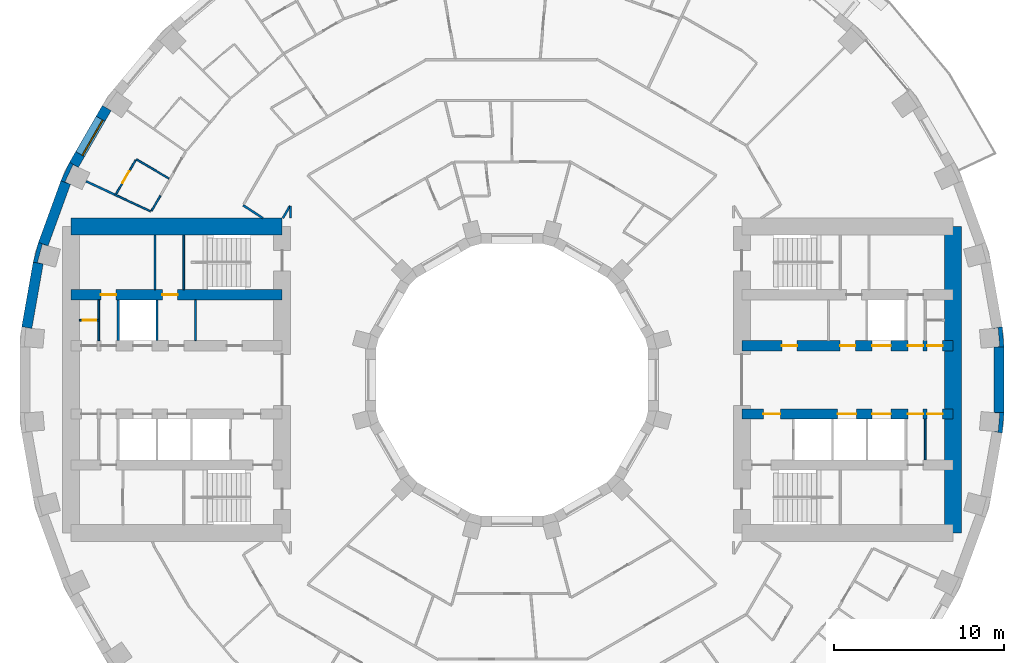
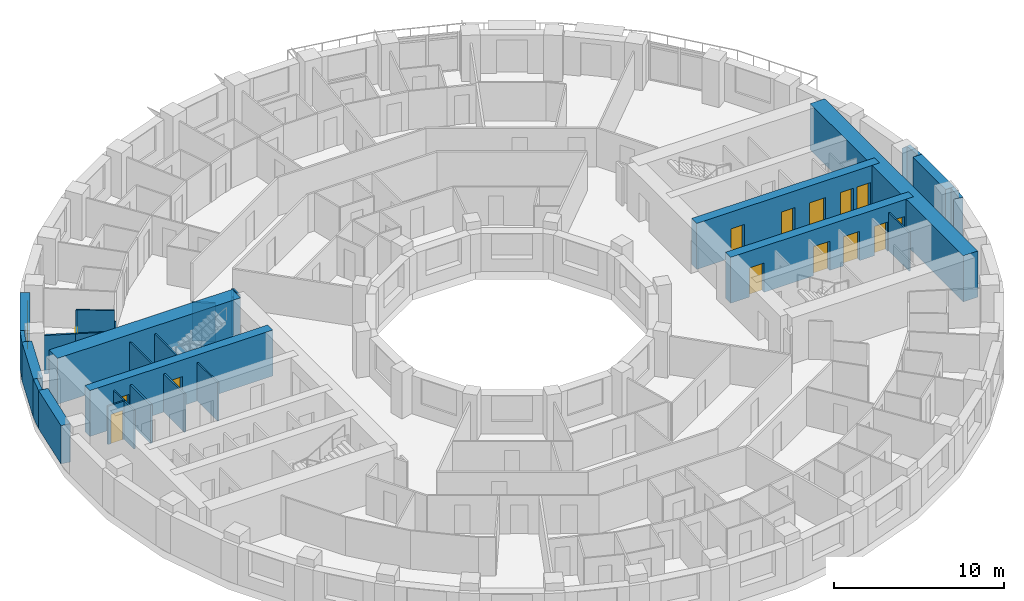
# One storey, part 9 of 15: 29 walls, 14 doors, 1 window, 15 openings.
"""IFC4 building model written with IfcOpenShell, lengths in metres."""

from ifc_helpers import new_model, si_unit, direction, frame, frame_2d, origin, place, context, subcontext, project, spatial, polyline, rectangle, outline, extrude, material, layer, layer_set, type_object, element, fill, save


model = new_model("IFC4")

# Units and contexts
model_context = context("Model", 3, precision=1e-05, world=origin(), true_north=direction((0.0, 1.0)))
body_context = subcontext(model_context, "Body", "Model", "MODEL_VIEW")
ifc_project = project(units=[si_unit("LENGTHUNIT", "METRE"), si_unit("AREAUNIT", "SQUARE_METRE"), si_unit("VOLUMEUNIT", "CUBIC_METRE"), si_unit("PLANEANGLEUNIT", "RADIAN"), si_unit("MASSUNIT", "GRAM", prefix="KILO")], contexts=[model_context])

# Site, building, storey
site_placement = place(None, origin())
site = spatial("IfcSite", under=ifc_project, at=site_placement, CompositionType="ELEMENT")
building_placement = place(site_placement, origin())
building = spatial("IfcBuilding", under=site, at=building_placement, Name="Saqina Gate Tower", CompositionType="ELEMENT")
storey_placement = place(building_placement, frame((0.0, 0.0, 72.5)))
storey = spatial("IfcBuildingStorey", under=building, at=storey_placement, Name="L20", CompositionType="ELEMENT", Elevation=72.5)

# Walls
ifc_material_1 = material(Name="Brick masonry (red)", Category="masonry")
wall_type_1 = type_object("IfcWallType", Name="BRICK PIER COPING RED", PredefinedType="SOLIDWALL", material=ifc_material_1)
wall_1_placement = place(storey_placement, origin())
element("IfcWall", 1, at=wall_1_placement, inside=storey, type_object=wall_type_1, Name="Pier cap L20 column 1", PredefinedType="SOLIDWALL", context=body_context, shape_type="SweptSolid", body=[
    extrude(outline(polyline([(28.8896484375, 1.9228515625), (28.78466796875, 3.122802734375), (28.19384765625, 3.018798828125), (28.54296875, 3.04931640625), (28.638671875, 1.95361328125), (28.28955078125, 1.9228515625), (28.8896484375, 1.9228515625)])), origin(), (0.0, 0.0, 1.0), 2.75),
])
wall_2_placement = place(storey_placement, origin())
element("IfcWall", 2, at=wall_2_placement, inside=storey, type_object=wall_type_1, Name="Pier cap L20 column 16", PredefinedType="SOLIDWALL", context=body_context, shape_type="SweptSolid", body=[
    extrude(outline(polyline([(-26.48974609375, 11.687744140625), (-25.92578125, 11.482666015625), (-26.243408203125, 11.630615234375), (-25.778564453125, 12.627685546875), (-25.4609375, 12.4794921875), (-25.980712890625, 12.779541015625), (-26.48974609375, 11.687744140625)])), origin(), (0.0, 0.0, 1.0), 2.75),
])
wall_3_placement = place(storey_placement, origin())
element("IfcWall", 3, at=wall_3_placement, inside=storey, type_object=wall_type_1, Name="Pier cap L20 column 17", PredefinedType="SOLIDWALL", context=body_context, shape_type="SweptSolid", body=[
    extrude(outline(polyline([(-28.11669921875, 6.910400390625), (-27.52587890625, 6.80615234375), (-27.864501953125, 6.896728515625), (-27.57958984375, 7.95947265625), (-27.2412109375, 7.86865234375), (-27.80517578125, 8.073974609375), (-28.11669921875, 6.910400390625)])), origin(), (0.0, 0.0, 1.0), 2.75),
])
wall_4_placement = place(storey_placement, origin())
element("IfcWall", 4, at=wall_4_placement, inside=storey, type_object=wall_type_1, Name="Pier cap L20 column 36", PredefinedType="SOLIDWALL", context=body_context, shape_type="SweptSolid", body=[
    extrude(outline(polyline([(28.78466796875, -3.122802734375), (28.8896484375, -1.9228515625), (28.28955078125, -1.9228515625), (28.638671875, -1.95361328125), (28.54296875, -3.04931640625), (28.19384765625, -3.018798828125), (28.78466796875, -3.122802734375)])), origin(), (0.0, 0.0, 1.0), 2.75),
])
ifc_material_2 = material(Name="Gypsum board on steel studs", Category="steel")
ifc_layer_1 = layer(ifc_material_2, 0.10009765625)
ifc_layer_set_1 = layer_set([ifc_layer_1], Name="CORE PARTITION")
wall_type_2 = type_object("IfcWallType", Name="CORE PARTITION", PredefinedType="PARTITIONING", material=ifc_layer_set_1)
for number, where, z_axis, x_axis, name in (
    (5, (24.260009765625, -4.699951171875, 0.0), (0.0, 0.0, 1.0), (0.0, 1.0, 0.0), "L20-CP-E09"),
    (6, (-18.582763671875, 2.300048828125, 0.0), (0.0, 0.0, 1.0), (0.0, 1.0, 0.0), "L20-CP-W01"),
    (7, (-24.260009765625, 2.300048828125, 0.0), (0.0, 0.0, 1.0), (0.0, 1.0, 0.0), "L20-CP-W04"),
):
    element("IfcWall", number, at=place(storey_placement, frame(where, z_axis=z_axis, x_axis=x_axis)), inside=storey, type_object=wall_type_2, Name=name, PredefinedType="PARTITIONING", context=body_context, shape_type="SweptSolid", body=[
        extrude(rectangle(XDim=2.39990234375, YDim=0.10009765625, at=frame_2d((1.199951171875, 0.0))), origin(), (0.0, 0.0, 1.0), 2.75),
    ])

# Wall, opening, door
wall_5_placement = place(storey_placement, frame((-24.260009765625, 3.5, 0.0), z_axis=(0.0, 0.0, 1.0), x_axis=(-1.0, 0.0, 0.0)))
wall_5 = element("IfcWall", 8, at=wall_5_placement, inside=storey, type_object=wall_type_2, Name="L20-CP-W10", PredefinedType="PARTITIONING", context=body_context, shape_type="SweptSolid", body=[
    extrude(rectangle(XDim=1.139892578125, YDim=0.10009765625, at=frame_2d((0.56982421875, 0.0))), origin(), (0.0, 0.0, 1.0), 2.75),
])
opening_1_placement = place(wall_5_placement, frame((0.14990234375, 0.0, 0.0)))
opening_1 = element("IfcOpeningElement", 9, at=opening_1_placement, cuts=wall_5, Name="Opening G05-D113", PredefinedType="OPENING", context=body_context, shape_type="SweptSolid", body=[
    extrude(rectangle(XDim=0.800048828125, YDim=2.10009765625, at=frame_2d((0.39990234375, 1.050048828125))), frame((0.0, 0.06201171875, 0.0), z_axis=(0.0, -1.0, 0.0), x_axis=(1.0, 0.0, 0.0)), (0.0, 0.0, 1.0), 0.1240234375),
])
ifc_material_3 = material(Name="Steel-framed fire door leaf, EI 60", Category="steel")
door_type_1 = type_object("IfcDoorType", Name="SERVICE ROOM DOOR 800", OperationType="SINGLE_SWING_LEFT", PredefinedType="DOOR", material=ifc_material_3)
door_1_placement = place(opening_1_placement, frame((0.800048828125, 0.0, 0.0), z_axis=(0.0, 0.0, 1.0), x_axis=(-1.0, 0.0, 0.0)))
door_1 = element("IfcDoor", 10, at=door_1_placement, inside=storey, type_object=door_type_1, Name="L20-CD-W24", OperationType="SINGLE_SWING_LEFT", OverallHeight=2.10009765625, OverallWidth=0.800048828125, PredefinedType="DOOR", context=body_context, shape_type="SweptSolid", body=[
    extrude(rectangle(XDim=0.800048828125, YDim=2.10009765625, at=frame_2d((0.39990234375, 1.050048828125))), frame((0.0, 0.02490234375, 0.0), z_axis=(0.0, -1.0, 0.0), x_axis=(1.0, 0.0, 0.0)), (0.0, 0.0, 1.0), 0.050048828125),
])
fill(opening_1, door_1)

# Wall
wall_6_placement = place(storey_placement, frame((-20.961669921875, 5.300048828125, 0.0), z_axis=(0.0, 0.0, 1.0), x_axis=(0.0, 1.0, 0.0)))
element("IfcWall", 11, at=wall_6_placement, inside=storey, type_object=wall_type_2, Name="L20-CP-W12", PredefinedType="PARTITIONING", context=body_context, shape_type="SweptSolid", body=[
    extrude(rectangle(XDim=3.199951171875, YDim=0.10009765625, at=frame_2d((1.60009765625, 0.0))), origin(), (0.0, 0.0, 1.0), 2.75),
])

# Wall, opening, window
ifc_material_4 = material(Name="Brick masonry (red)", Category="masonry")
ifc_layer_2 = layer(ifc_material_4, 0.60009765625)
ifc_layer_set_2 = layer_set([ifc_layer_2], Name="FW-BRICK-RED")
wall_type_3 = type_object("IfcWallType", Name="FW-BRICK-RED", PredefinedType="SOLIDWALL", material=ifc_layer_set_2)
wall_7_placement = place(storey_placement, frame((-23.7978515625, 15.960205078125, 0.0), z_axis=(0.0, 0.0, 1.0), x_axis=(-0.499989888488, -0.86603124159, 0.0)))
wall_7 = element("IfcWall", 12, at=wall_7_placement, inside=storey, type_object=wall_type_3, Name="Facade wall L20 facet 15", PredefinedType="SOLIDWALL", context=body_context, shape_type="SweptSolid", body=[
    extrude(rectangle(XDim=3.845703125, YDim=0.60009765625, at=frame_2d((1.9228515625, 0.0))), origin(), (0.0, 0.0, 1.0), 2.75),
])
opening_2_placement = place(wall_7_placement, frame((0.722900390625, 0.0, 0.89990234375)))
opening_2 = element("IfcOpeningElement", 13, at=opening_2_placement, cuts=wall_7, Name="Opening G05-W09", PredefinedType="OPENING", context=body_context, shape_type="SweptSolid", body=[
    extrude(rectangle(XDim=2.39990234375, YDim=1.800048828125, at=frame_2d((1.199951171875, 0.89990234375))), frame((0.0, 0.31201171875, 0.0), z_axis=(0.0, -1.0, 0.0), x_axis=(1.0, 0.0, 0.0)), (0.0, 0.0, 1.0), 0.6240234375),
])
ifc_material_5 = material(Name="Aluminium glazing", Category="aluminium")
window_type = type_object("IfcWindowType", Name="WN-A", PartitioningType="SINGLE_PANEL", PredefinedType="WINDOW", material=ifc_material_5)
window_placement = place(opening_2_placement, origin())
window = element("IfcWindow", 14, at=window_placement, inside=storey, type_object=window_type, Name="Window L20 facet 15", OverallHeight=1.800048828125, OverallWidth=2.39990234375, PartitioningType="SINGLE_PANEL", PredefinedType="WINDOW", context=body_context, shape_type="SweptSolid", body=[
    extrude(rectangle(XDim=2.39990234375, YDim=1.800048828125, at=frame_2d((1.199951171875, 0.89990234375))), frame((0.0, 0.179931640625, 0.0), z_axis=(0.0, -1.0, 0.0), x_axis=(1.0, 0.0, 0.0)), (0.0, 0.0, 1.0), 0.06005859375),
])
fill(opening_2, window)

# Walls
ifc_material_6 = material(Name="Glazed ceramic tile", Category="ceramic")
ifc_layer_3 = layer(ifc_material_6, 0.60009765625)
ifc_layer_set_3 = layer_set([ifc_layer_3], Name="FW-TILE")
wall_type_4 = type_object("IfcWallType", Name="FW-TILE", PredefinedType="SOLIDWALL", material=ifc_layer_set_3)
wall_8_placement = place(storey_placement, frame((-27.8212890625, 6.858154296875, 0.0), z_axis=(0.0, 0.0, 1.0), x_axis=(-0.173687553279, -0.984800809218, 0.0)))
element("IfcWall", 15, at=wall_8_placement, inside=storey, type_object=wall_type_4, Name="Facade wall L20 facet 17", PredefinedType="SOLIDWALL", context=body_context, shape_type="SweptSolid", body=[
    extrude(rectangle(XDim=3.845703125, YDim=0.60009765625, at=frame_2d((1.9228515625, 0.0))), origin(), (0.0, 0.0, 1.0), 2.75),
])
ifc_material_7 = material(Name="Glazed ceramic tile (white)", Category="ceramic")
ifc_layer_4 = layer(ifc_material_7, 0.60009765625)
ifc_layer_set_4 = layer_set([ifc_layer_4], Name="FW-TILE-WH")
wall_type_5 = type_object("IfcWallType", Name="FW-TILE-WH", PredefinedType="SOLIDWALL", material=ifc_layer_set_4)
wall_9_placement = place(storey_placement, frame((-26.207763671875, 11.585205078125, 0.0), z_axis=(0.0, 0.0, 1.0), x_axis=(-0.342028474173, -0.939689588564, 0.0)))
element("IfcWall", 16, at=wall_9_placement, inside=storey, type_object=wall_type_5, Name="Facade wall L20 facet 16", PredefinedType="SOLIDWALL", context=body_context, shape_type="SweptSolid", body=[
    extrude(rectangle(XDim=3.845947265625, YDim=0.60009765625, at=frame_2d((1.9228515625, 0.0))), origin(), (0.0, 0.0, 1.0), 2.75),
])
wall_10_placement = place(storey_placement, frame((28.589599609375, -1.9228515625, 0.0), z_axis=(0.0, 0.0, 1.0), x_axis=(0.0, 1.0, 0.0)))
element("IfcWall", 17, at=wall_10_placement, inside=storey, type_object=wall_type_5, Name="Facade wall L20 facet 36", PredefinedType="SOLIDWALL", context=body_context, shape_type="SweptSolid", body=[
    extrude(rectangle(XDim=3.845703125, YDim=0.60009765625, at=frame_2d((1.9228515625, 0.0))), origin(), (0.0, 0.0, 1.0), 2.75),
])
ifc_material_8 = material(Name="Gypsum board on steel studs, 100 mm", Category="steel")
ifc_layer_5 = layer(ifc_material_8, 0.10009765625)
ifc_layer_set_5 = layer_set([ifc_layer_5], Name="PARTITION 100")
wall_type_6 = type_object("IfcWallType", Name="PARTITION 100", PredefinedType="PARTITIONING", material=ifc_layer_set_5)
wall_11_placement = place(storey_placement, frame((-22.069091796875, 12.9541015625, 0.0), z_axis=(0.0, 0.0, 1.0), x_axis=(0.862374352329, -0.506271149134, 0.0)))
element("IfcWall", 18, at=wall_11_placement, inside=storey, type_object=wall_type_6, Name="PARTITION PW3-41", PredefinedType="PARTITIONING", context=body_context, shape_type="SweptSolid", body=[
    extrude(rectangle(XDim=2.237060546875, YDim=0.10009765625, at=frame_2d((1.11865234375, 0.0))), origin(), (0.0, 0.0, 1.0), 2.75),
])
wall_12_placement = place(storey_placement, frame((-23.326171875, 10.877197265625, 0.0), z_axis=(0.0, 0.0, 1.0), x_axis=(0.906293839501, -0.42264817104, 0.0)))
element("IfcWall", 19, at=wall_12_placement, inside=storey, type_object=wall_type_6, Name="PARTITION PW3-48", PredefinedType="PARTITIONING", context=body_context, shape_type="SweptSolid", body=[
    extrude(rectangle(XDim=2.309326171875, YDim=0.10009765625, at=frame_2d((1.15478515625, 0.0))), origin(), (0.0, 0.0, 1.0), 2.75),
])
wall_13_placement = place(storey_placement, frame((-21.1630859375, 9.92333984375, 0.0), z_axis=(0.0, 0.0, 1.0), x_axis=(0.499797427156, 0.866142327685, 0.0)))
element("IfcWall", 20, at=wall_13_placement, inside=storey, type_object=wall_type_6, Name="PARTITION PW3-99", PredefinedType="PARTITIONING", context=body_context, shape_type="SweptSolid", body=[
    extrude(rectangle(XDim=1.03369140625, YDim=0.10009765625, at=frame_2d((0.516845703125, 0.0))), origin(), (0.0, 0.0, 1.0), 2.75),
])

# Wall, opening, door
wall_14_placement = place(storey_placement, frame((-23.2548828125, 10.901123046875, 0.0), z_axis=(0.0, 0.0, 1.0), x_axis=(0.500223263977, 0.865896463889, 0.0)))
wall_14 = element("IfcWall", 21, at=wall_14_placement, inside=storey, type_object=wall_type_6, Name="PARTITION PW3-100", PredefinedType="PARTITIONING", context=body_context, shape_type="SweptSolid", body=[
    extrude(rectangle(XDim=2.32080078125, YDim=0.10009765625, at=frame_2d((1.160400390625, 0.0))), origin(), (0.0, 0.0, 1.0), 2.75),
])
opening_3_placement = place(wall_14_placement, frame((0.75927734375, 0.0, 0.0)))
opening_3 = element("IfcOpeningElement", 22, at=opening_3_placement, cuts=wall_14, Name="Opening G05-D35", PredefinedType="OPENING", context=body_context, shape_type="SweptSolid", body=[
    extrude(rectangle(XDim=0.800048828125, YDim=2.10009765625, at=frame_2d((0.39990234375, 1.050048828125))), frame((0.0, 0.06201171875, 0.0), z_axis=(0.0, -1.0, 0.0), x_axis=(1.0, 0.0, 0.0)), (0.0, 0.0, 1.0), 0.1240234375),
])
ifc_material_9 = material(Name="Timber door leaf, 800 mm", Category="wood")
door_type_2 = type_object("IfcDoorType", Name="DOOR 800 TIMBER", OperationType="SINGLE_SWING_LEFT", PredefinedType="DOOR", material=ifc_material_9)
door_2_placement = place(opening_3_placement, origin())
door_2 = element("IfcDoor", 23, at=door_2_placement, inside=storey, type_object=door_type_2, Name="DOOR G05-D35", OperationType="SINGLE_SWING_LEFT", OverallHeight=2.10009765625, OverallWidth=0.800048828125, PredefinedType="DOOR", context=body_context, shape_type="SweptSolid", body=[
    extrude(rectangle(XDim=0.800048828125, YDim=2.10009765625, at=frame_2d((0.39990234375, 1.050048828125))), frame((0.0, 0.02490234375, 0.0), z_axis=(0.0, -1.0, 0.0), x_axis=(1.0, 0.0, 0.0)), (0.0, 0.0, 1.0), 0.050048828125),
])
fill(opening_3, door_2)

# Walls
ifc_material_10 = material(Name="Gypsum board on steel studs, 125 mm, fire rated", Category="steel")
ifc_layer_6 = layer(ifc_material_10, 0.125)
ifc_layer_set_6 = layer_set([ifc_layer_6], Name="PARTITION EI 30 125")
wall_type_7 = type_object("IfcWallType", Name="PARTITION EI 30 125", PredefinedType="PARTITIONING", material=ifc_layer_set_6)
wall_15_placement = place(storey_placement, frame((-15.7890625, 10.2529296875, 0.0), z_axis=(0.0, 0.0, 1.0), x_axis=(0.838830573332, -0.544392569056, 0.0)))
element("IfcWall", 24, at=wall_15_placement, inside=storey, type_object=wall_type_7, Name="PARTITION PW1-07", PredefinedType="PARTITIONING", context=body_context, shape_type="SweptSolid", body=[
    extrude(rectangle(XDim=1.383056640625, YDim=0.125, at=frame_2d((0.69140625, 0.0))), origin(), (0.0, 0.0, 1.0), 2.75),
])
wall_16_placement = place(storey_placement, frame((-25.005126953125, 11.659912109375, 0.0), z_axis=(0.0, 0.0, 1.0), x_axis=(0.906348054162, -0.422531897869, 0.0)))
element("IfcWall", 25, at=wall_16_placement, inside=storey, type_object=wall_type_7, Name="PARTITION PW1-14", PredefinedType="PARTITIONING", context=body_context, shape_type="SweptSolid", body=[
    extrude(rectangle(XDim=1.8525390625, YDim=0.125, at=frame_2d((0.92626953125, 0.0))), origin(), (0.0, 0.0, 1.0), 2.75),
])
wall_17_placement = place(storey_placement, frame((-13.451904296875, 9.5, 0.0), z_axis=(0.0, 0.0, 1.0), x_axis=(0.49991670217, 0.866073490468, 0.0)))
element("IfcWall", 26, at=wall_17_placement, inside=storey, type_object=wall_type_7, Name="PARTITION PW1-49", PredefinedType="PARTITIONING", context=body_context, shape_type="SweptSolid", body=[
    extrude(rectangle(XDim=0.834228515625, YDim=0.125, at=frame_2d((0.4169921875, 0.0))), origin(), (0.0, 0.0, 1.0), 2.75),
])
wall_18_placement = place(storey_placement, frame((-13.0, 9.5, 0.0), z_axis=(0.0, 0.0, 1.0), x_axis=(0.0, 1.0, 0.0)))
element("IfcWall", 27, at=wall_18_placement, inside=storey, type_object=wall_type_7, Name="PARTITION PW1-56", PredefinedType="PARTITIONING", context=body_context, shape_type="SweptSolid", body=[
    extrude(rectangle(XDim=0.720458984375, YDim=0.125, at=frame_2d((0.3603515625, 0.0))), origin(), (0.0, 0.0, 1.0), 2.75),
])
ifc_material_11 = material(Name="Autoclaved aerated concrete block", Category="concrete")
ifc_layer_7 = layer(ifc_material_11, 0.1201171875)
ifc_layer_set_7 = layer_set([ifc_layer_7], Name="SHAFT PARTITION")
wall_type_8 = type_object("IfcWallType", Name="SHAFT PARTITION", PredefinedType="PARTITIONING", material=ifc_layer_set_7)
for number, where, z_axis, x_axis, name in (
    (28, (-20.840087890625, 2.300048828125, 0.0), (0.0, 0.0, 1.0), (0.0, 1.0, 0.0), "L20-CP-W02"),
    (29, (-23.1201171875, 2.300048828125, 0.0), (0.0, 0.0, 1.0), (0.0, 1.0, 0.0), "L20-CP-W03"),
):
    element("IfcWall", number, at=place(storey_placement, frame(where, z_axis=z_axis, x_axis=x_axis)), inside=storey, type_object=wall_type_8, Name=name, PredefinedType="PARTITIONING", context=body_context, shape_type="SweptSolid", body=[
        extrude(rectangle(XDim=2.39990234375, YDim=0.1201171875, at=frame_2d((1.199951171875, 0.0))), origin(), (0.0, 0.0, 1.0), 2.75),
    ])
ifc_material_12 = material(Name="Autoclaved aerated concrete block", Category="concrete")
ifc_layer_8 = layer(ifc_material_12, 0.10009765625)
ifc_layer_set_8 = layer_set([ifc_layer_8], Name="STAIR ENCLOSURE WALL")
wall_type_9 = type_object("IfcWallType", Name="STAIR ENCLOSURE WALL", PredefinedType="PARTITIONING", material=ifc_layer_set_8)
wall_19_placement = place(storey_placement, frame((-19.27001953125, 5.300048828125, 0.0), z_axis=(0.0, 0.0, 1.0), x_axis=(0.0, 1.0, 0.0)))
element("IfcWall", 30, at=wall_19_placement, inside=storey, type_object=wall_type_9, Name="L20-CP-W11", PredefinedType="PARTITIONING", context=body_context, shape_type="SweptSolid", body=[
    extrude(rectangle(XDim=3.199951171875, YDim=0.10009765625, at=frame_2d((1.60009765625, 0.0))), origin(), (0.0, 0.0, 1.0), 2.75),
])

# Wall, openings, doors
ifc_material_13 = material(Name="Concrete C70/85", Category="concrete")
ifc_layer_9 = layer(ifc_material_13, 0.60009765625)
ifc_layer_set_9 = layer_set([ifc_layer_9], Name="Concrete C70/85")
wall_type_10 = type_object("IfcWallType", Name="STR-CORE WALL-A-I", PredefinedType="SHEAR", material=ifc_layer_set_9)
wall_20_placement = place(storey_placement, frame((13.5, 2.0, 0.0), z_axis=(0.0, 0.0, 1.0), x_axis=(1.0, 0.0, 0.0)))
wall_20 = element("IfcWall", 31, at=wall_20_placement, inside=storey, type_object=wall_type_10, Name="CORE WALL L20 E-L1", PredefinedType="SHEAR", context=body_context, shape_type="SweptSolid", body=[
    extrude(rectangle(XDim=12.39990234375, YDim=0.60009765625, at=frame_2d((6.199951171875, 0.0))), origin(), (0.0, 0.0, 1.0), 3.300048828125),
])
opening_4_placement = place(wall_20_placement, frame((7.64990234375, 0.0, 0.0)))
opening_4 = element("IfcOpeningElement", 32, at=opening_4_placement, cuts=wall_20, Name="Opening G05-LD1", PredefinedType="OPENING", context=body_context, shape_type="SweptSolid", body=[
    extrude(rectangle(XDim=1.10009765625, YDim=2.10009765625, at=frame_2d((0.550048828125, 1.050048828125))), frame((0.0, 0.31201171875, 0.0), z_axis=(0.0, -1.0, 0.0), x_axis=(1.0, 0.0, 0.0)), (0.0, 0.0, 1.0), 0.6240234375),
])
opening_5_placement = place(wall_20_placement, frame((2.34130859375, 0.0, 0.0)))
opening_5 = element("IfcOpeningElement", 33, at=opening_5_placement, cuts=wall_20, Name="Opening G05-D90", PredefinedType="OPENING", context=body_context, shape_type="SweptSolid", body=[
    extrude(rectangle(XDim=0.89990234375, YDim=2.10009765625, at=frame_2d((0.449951171875, 1.050048828125))), frame((0.0, 0.31201171875, 0.0), z_axis=(0.0, -1.0, 0.0), x_axis=(1.0, 0.0, 0.0)), (0.0, 0.0, 1.0), 0.6240234375),
])
opening_6_placement = place(wall_20_placement, frame((5.761474609375, 0.0, 0.0)))
opening_6 = element("IfcOpeningElement", 34, at=opening_6_placement, cuts=wall_20, Name="Opening G05-D91", PredefinedType="OPENING", context=body_context, shape_type="SweptSolid", body=[
    extrude(rectangle(XDim=0.89990234375, YDim=2.10009765625, at=frame_2d((0.449951171875, 1.050048828125))), frame((0.0, 0.31201171875, 0.0), z_axis=(0.0, -1.0, 0.0), x_axis=(1.0, 0.0, 0.0)), (0.0, 0.0, 1.0), 0.6240234375),
])
opening_7_placement = place(wall_20_placement, frame((9.739990234375, 0.0, 0.0)))
opening_7 = element("IfcOpeningElement", 35, at=opening_7_placement, cuts=wall_20, Name="Opening G05-D92", PredefinedType="OPENING", context=body_context, shape_type="SweptSolid", body=[
    extrude(rectangle(XDim=0.89990234375, YDim=2.10009765625, at=frame_2d((0.449951171875, 1.050048828125))), frame((0.0, 0.31201171875, 0.0), z_axis=(0.0, -1.0, 0.0), x_axis=(1.0, 0.0, 0.0)), (0.0, 0.0, 1.0), 0.6240234375),
])
opening_8_placement = place(wall_20_placement, frame((10.8798828125, 0.0, 0.0)))
opening_8 = element("IfcOpeningElement", 36, at=opening_8_placement, cuts=wall_20, Name="Opening G05-D93", PredefinedType="OPENING", context=body_context, shape_type="SweptSolid", body=[
    extrude(rectangle(XDim=0.89990234375, YDim=2.10009765625, at=frame_2d((0.449951171875, 1.050048828125))), frame((0.0, 0.31201171875, 0.0), z_axis=(0.0, -1.0, 0.0), x_axis=(1.0, 0.0, 0.0)), (0.0, 0.0, 1.0), 0.6240234375),
])
ifc_material_14 = material(Name="Stainless steel", Category="steel")
door_type_3 = type_object("IfcDoorType", Name="LANDING DOOR", OperationType="DOUBLE_DOOR_SLIDING", PredefinedType="DOOR", material=ifc_material_14)
door_3_placement = place(opening_4_placement, origin())
door_3 = element("IfcDoor", 37, at=door_3_placement, inside=storey, type_object=door_type_3, Name="LANDING DOOR LR1", OperationType="DOUBLE_DOOR_SLIDING", OverallHeight=2.10009765625, OverallWidth=1.10009765625, PredefinedType="DOOR", context=body_context, shape_type="SweptSolid", body=[
    extrude(rectangle(XDim=1.10009765625, YDim=2.10009765625, at=frame_2d((0.550048828125, 1.050048828125))), frame((0.0, 0.02490234375, 0.0), z_axis=(0.0, -1.0, 0.0), x_axis=(1.0, 0.0, 0.0)), (0.0, 0.0, 1.0), 0.050048828125),
])
fill(opening_4, door_3)
ifc_material_15 = material(Name="Steel-framed fire door leaf, EI 60", Category="steel")
door_type_4 = type_object("IfcDoorType", Name="SERVICE ROOM DOOR 900", OperationType="SINGLE_SWING_LEFT", PredefinedType="DOOR", material=ifc_material_15)
door_4_placement = place(opening_5_placement, origin())
door_4 = element("IfcDoor", 38, at=door_4_placement, inside=storey, type_object=door_type_4, Name="L20-CD-E01", OperationType="SINGLE_SWING_LEFT", OverallHeight=2.10009765625, OverallWidth=0.89990234375, PredefinedType="DOOR", context=body_context, shape_type="SweptSolid", body=[
    extrude(rectangle(XDim=0.89990234375, YDim=2.10009765625, at=frame_2d((0.449951171875, 1.050048828125))), frame((0.0, 0.02490234375, 0.0), z_axis=(0.0, -1.0, 0.0), x_axis=(1.0, 0.0, 0.0)), (0.0, 0.0, 1.0), 0.050048828125),
])
fill(opening_5, door_4)
door_5_placement = place(opening_6_placement, origin())
door_5 = element("IfcDoor", 39, at=door_5_placement, inside=storey, type_object=door_type_4, Name="L20-CD-E02", OperationType="SINGLE_SWING_RIGHT", OverallHeight=2.10009765625, OverallWidth=0.89990234375, PredefinedType="DOOR", context=body_context, shape_type="SweptSolid", body=[
    extrude(rectangle(XDim=0.89990234375, YDim=2.10009765625, at=frame_2d((0.449951171875, 1.050048828125))), frame((0.0, 0.02490234375, 0.0), z_axis=(0.0, -1.0, 0.0), x_axis=(1.0, 0.0, 0.0)), (0.0, 0.0, 1.0), 0.050048828125),
])
fill(opening_6, door_5)
door_6_placement = place(opening_7_placement, origin())
door_6 = element("IfcDoor", 40, at=door_6_placement, inside=storey, type_object=door_type_4, Name="L20-CD-E03", OperationType="SINGLE_SWING_LEFT", OverallHeight=2.10009765625, OverallWidth=0.89990234375, PredefinedType="DOOR", context=body_context, shape_type="SweptSolid", body=[
    extrude(rectangle(XDim=0.89990234375, YDim=2.10009765625, at=frame_2d((0.449951171875, 1.050048828125))), frame((0.0, 0.02490234375, 0.0), z_axis=(0.0, -1.0, 0.0), x_axis=(1.0, 0.0, 0.0)), (0.0, 0.0, 1.0), 0.050048828125),
])
fill(opening_7, door_6)
door_7_placement = place(opening_8_placement, origin())
door_7 = element("IfcDoor", 41, at=door_7_placement, inside=storey, type_object=door_type_4, Name="L20-CD-E04", OperationType="SINGLE_SWING_RIGHT", OverallHeight=2.10009765625, OverallWidth=0.89990234375, PredefinedType="DOOR", context=body_context, shape_type="SweptSolid", body=[
    extrude(rectangle(XDim=0.89990234375, YDim=2.10009765625, at=frame_2d((0.449951171875, 1.050048828125))), frame((0.0, 0.02490234375, 0.0), z_axis=(0.0, -1.0, 0.0), x_axis=(1.0, 0.0, 0.0)), (0.0, 0.0, 1.0), 0.050048828125),
])
fill(opening_8, door_7)

wall_21_placement = place(storey_placement, frame((13.5, -2.0, 0.0), z_axis=(0.0, 0.0, 1.0), x_axis=(1.0, 0.0, 0.0)))
wall_21 = element("IfcWall", 42, at=wall_21_placement, inside=storey, type_object=wall_type_10, Name="CORE WALL L20 E-L2", PredefinedType="SHEAR", context=body_context, shape_type="SweptSolid", body=[
    extrude(rectangle(XDim=12.39990234375, YDim=0.60009765625, at=frame_2d((6.199951171875, 0.0))), origin(), (0.0, 0.0, 1.0), 3.300048828125),
])
opening_9_placement = place(wall_21_placement, frame((5.6201171875, 0.0, 0.0)))
opening_9 = element("IfcOpeningElement", 43, at=opening_9_placement, cuts=wall_21, Name="Opening G05-LD3", PredefinedType="OPENING", context=body_context, shape_type="SweptSolid", body=[
    extrude(rectangle(XDim=1.10009765625, YDim=2.10009765625, at=frame_2d((0.550048828125, 1.050048828125))), frame((0.0, 0.31201171875, 0.0), z_axis=(0.0, -1.0, 0.0), x_axis=(1.0, 0.0, 0.0)), (0.0, 0.0, 1.0), 0.6240234375),
])
opening_10_placement = place(wall_21_placement, frame((7.64990234375, 0.0, 0.0)))
opening_10 = element("IfcOpeningElement", 44, at=opening_10_placement, cuts=wall_21, Name="Opening G05-LD4", PredefinedType="OPENING", context=body_context, shape_type="SweptSolid", body=[
    extrude(rectangle(XDim=1.10009765625, YDim=2.10009765625, at=frame_2d((0.550048828125, 1.050048828125))), frame((0.0, 0.31201171875, 0.0), z_axis=(0.0, -1.0, 0.0), x_axis=(1.0, 0.0, 0.0)), (0.0, 0.0, 1.0), 0.6240234375),
])
opening_11_placement = place(wall_21_placement, frame((1.264892578125, 0.0, 0.0)))
opening_11 = element("IfcOpeningElement", 45, at=opening_11_placement, cuts=wall_21, Name="Opening G05-D94", PredefinedType="OPENING", context=body_context, shape_type="SweptSolid", body=[
    extrude(rectangle(XDim=1.0, YDim=2.10009765625, at=frame_2d((0.5, 1.050048828125))), frame((0.0, 0.31201171875, 0.0), z_axis=(0.0, -1.0, 0.0), x_axis=(1.0, 0.0, 0.0)), (0.0, 0.0, 1.0), 0.6240234375),
])
opening_12_placement = place(wall_21_placement, frame((9.739990234375, 0.0, 0.0)))
opening_12 = element("IfcOpeningElement", 46, at=opening_12_placement, cuts=wall_21, Name="Opening G05-D95", PredefinedType="OPENING", context=body_context, shape_type="SweptSolid", body=[
    extrude(rectangle(XDim=0.89990234375, YDim=2.10009765625, at=frame_2d((0.449951171875, 1.050048828125))), frame((0.0, 0.31201171875, 0.0), z_axis=(0.0, -1.0, 0.0), x_axis=(1.0, 0.0, 0.0)), (0.0, 0.0, 1.0), 0.6240234375),
])
opening_13_placement = place(wall_21_placement, frame((10.8798828125, 0.0, 0.0)))
opening_13 = element("IfcOpeningElement", 47, at=opening_13_placement, cuts=wall_21, Name="Opening G05-D96", PredefinedType="OPENING", context=body_context, shape_type="SweptSolid", body=[
    extrude(rectangle(XDim=0.89990234375, YDim=2.10009765625, at=frame_2d((0.449951171875, 1.050048828125))), frame((0.0, 0.31201171875, 0.0), z_axis=(0.0, -1.0, 0.0), x_axis=(1.0, 0.0, 0.0)), (0.0, 0.0, 1.0), 0.6240234375),
])
ifc_material_16 = material(Name="Steel", Category="steel")
door_type_5 = type_object("IfcDoorType", Name="FIRE LOBBY DOOR EI 60", OperationType="SINGLE_SWING_LEFT", PredefinedType="DOOR", material=ifc_material_16)
door_8_placement = place(opening_11_placement, origin())
door_8 = element("IfcDoor", 48, at=door_8_placement, inside=storey, type_object=door_type_5, Name="L20-CD-E05", OperationType="SINGLE_SWING_LEFT", OverallHeight=2.10009765625, OverallWidth=1.0, PredefinedType="DOOR", context=body_context, shape_type="SweptSolid", body=[
    extrude(rectangle(XDim=1.0, YDim=2.10009765625, at=frame_2d((0.5, 1.050048828125))), frame((0.0, 0.02490234375, 0.0), z_axis=(0.0, -1.0, 0.0), x_axis=(1.0, 0.0, 0.0)), (0.0, 0.0, 1.0), 0.050048828125),
])
fill(opening_11, door_8)
door_9_placement = place(opening_9_placement, origin())
door_9 = element("IfcDoor", 49, at=door_9_placement, inside=storey, type_object=door_type_3, Name="LANDING DOOR LR3", OperationType="DOUBLE_DOOR_SLIDING", OverallHeight=2.10009765625, OverallWidth=1.10009765625, PredefinedType="DOOR", context=body_context, shape_type="SweptSolid", body=[
    extrude(rectangle(XDim=1.10009765625, YDim=2.10009765625, at=frame_2d((0.550048828125, 1.050048828125))), frame((0.0, 0.02490234375, 0.0), z_axis=(0.0, -1.0, 0.0), x_axis=(1.0, 0.0, 0.0)), (0.0, 0.0, 1.0), 0.050048828125),
])
fill(opening_9, door_9)
door_10_placement = place(opening_10_placement, origin())
door_10 = element("IfcDoor", 50, at=door_10_placement, inside=storey, type_object=door_type_3, Name="LANDING DOOR LR2", OperationType="DOUBLE_DOOR_SLIDING", OverallHeight=2.10009765625, OverallWidth=1.10009765625, PredefinedType="DOOR", context=body_context, shape_type="SweptSolid", body=[
    extrude(rectangle(XDim=1.10009765625, YDim=2.10009765625, at=frame_2d((0.550048828125, 1.050048828125))), frame((0.0, 0.02490234375, 0.0), z_axis=(0.0, -1.0, 0.0), x_axis=(1.0, 0.0, 0.0)), (0.0, 0.0, 1.0), 0.050048828125),
])
fill(opening_10, door_10)
door_11_placement = place(opening_12_placement, frame((0.89990234375, 0.0, 0.0), z_axis=(0.0, 0.0, 1.0), x_axis=(-1.0, 0.0, 0.0)))
door_11 = element("IfcDoor", 51, at=door_11_placement, inside=storey, type_object=door_type_4, Name="L20-CD-E06", OperationType="SINGLE_SWING_RIGHT", OverallHeight=2.10009765625, OverallWidth=0.89990234375, PredefinedType="DOOR", context=body_context, shape_type="SweptSolid", body=[
    extrude(rectangle(XDim=0.89990234375, YDim=2.10009765625, at=frame_2d((0.449951171875, 1.050048828125))), frame((0.0, 0.02490234375, 0.0), z_axis=(0.0, -1.0, 0.0), x_axis=(1.0, 0.0, 0.0)), (0.0, 0.0, 1.0), 0.050048828125),
])
fill(opening_12, door_11)
door_12_placement = place(opening_13_placement, frame((0.89990234375, 0.0, 0.0), z_axis=(0.0, 0.0, 1.0), x_axis=(-1.0, 0.0, 0.0)))
door_12 = element("IfcDoor", 52, at=door_12_placement, inside=storey, type_object=door_type_4, Name="L20-CD-E07", OperationType="SINGLE_SWING_LEFT", OverallHeight=2.10009765625, OverallWidth=0.89990234375, PredefinedType="DOOR", context=body_context, shape_type="SweptSolid", body=[
    extrude(rectangle(XDim=0.89990234375, YDim=2.10009765625, at=frame_2d((0.449951171875, 1.050048828125))), frame((0.0, 0.02490234375, 0.0), z_axis=(0.0, -1.0, 0.0), x_axis=(1.0, 0.0, 0.0)), (0.0, 0.0, 1.0), 0.050048828125),
])
fill(opening_13, door_12)

wall_22_placement = place(storey_placement, frame((-13.5, 5.0, 0.0), z_axis=(0.0, 0.0, 1.0), x_axis=(-1.0, 0.0, 0.0)))
wall_22 = element("IfcWall", 53, at=wall_22_placement, inside=storey, type_object=wall_type_10, Name="CORE WALL L20 W-X1", PredefinedType="SHEAR", context=body_context, shape_type="SweptSolid", body=[
    extrude(rectangle(XDim=12.39990234375, YDim=0.60009765625, at=frame_2d((6.199951171875, 0.0))), origin(), (0.0, 0.0, 1.0), 3.300048828125),
])
opening_14_placement = place(wall_22_placement, frame((6.1298828125, 0.0, 0.0)))
opening_14 = element("IfcOpeningElement", 54, at=opening_14_placement, cuts=wall_22, Name="Opening G05-D114", PredefinedType="OPENING", context=body_context, shape_type="SweptSolid", body=[
    extrude(rectangle(XDim=0.89990234375, YDim=2.10009765625, at=frame_2d((0.449951171875, 1.050048828125))), frame((0.0, 0.31201171875, 0.0), z_axis=(0.0, -1.0, 0.0), x_axis=(1.0, 0.0, 0.0)), (0.0, 0.0, 1.0), 0.6240234375),
])
opening_15_placement = place(wall_22_placement, frame((9.739990234375, 0.0, 0.0)))
opening_15 = element("IfcOpeningElement", 55, at=opening_15_placement, cuts=wall_22, Name="Opening G05-D115", PredefinedType="OPENING", context=body_context, shape_type="SweptSolid", body=[
    extrude(rectangle(XDim=0.89990234375, YDim=2.10009765625, at=frame_2d((0.449951171875, 1.050048828125))), frame((0.0, 0.31201171875, 0.0), z_axis=(0.0, -1.0, 0.0), x_axis=(1.0, 0.0, 0.0)), (0.0, 0.0, 1.0), 0.6240234375),
])
door_13_placement = place(opening_14_placement, origin())
door_13 = element("IfcDoor", 56, at=door_13_placement, inside=storey, type_object=door_type_4, Name="L20-CD-W25", OperationType="SINGLE_SWING_RIGHT", OverallHeight=2.10009765625, OverallWidth=0.89990234375, PredefinedType="DOOR", context=body_context, shape_type="SweptSolid", body=[
    extrude(rectangle(XDim=0.89990234375, YDim=2.10009765625, at=frame_2d((0.449951171875, 1.050048828125))), frame((0.0, 0.02490234375, 0.0), z_axis=(0.0, -1.0, 0.0), x_axis=(1.0, 0.0, 0.0)), (0.0, 0.0, 1.0), 0.050048828125),
])
fill(opening_14, door_13)
door_14_placement = place(opening_15_placement, frame((0.89990234375, 0.0, 0.0), z_axis=(0.0, 0.0, 1.0), x_axis=(-1.0, 0.0, 0.0)))
door_14 = element("IfcDoor", 57, at=door_14_placement, inside=storey, type_object=door_type_4, Name="L20-CD-W26", OperationType="SINGLE_SWING_LEFT", OverallHeight=2.10009765625, OverallWidth=0.89990234375, PredefinedType="DOOR", context=body_context, shape_type="SweptSolid", body=[
    extrude(rectangle(XDim=0.89990234375, YDim=2.10009765625, at=frame_2d((0.449951171875, 1.050048828125))), frame((0.0, 0.02490234375, 0.0), z_axis=(0.0, -1.0, 0.0), x_axis=(1.0, 0.0, 0.0)), (0.0, 0.0, 1.0), 0.050048828125),
])
fill(opening_15, door_14)

# Walls
ifc_material_17 = material(Name="Concrete C70/85", Category="concrete")
ifc_layer_10 = layer(ifc_material_17, 1.0)
ifc_layer_set_10 = layer_set([ifc_layer_10], Name="Concrete C70/85")
wall_type_11 = type_object("IfcWallType", Name="STR-CORE WALL-A-O", PredefinedType="SHEAR", material=ifc_layer_set_10)
wall_23_placement = place(storey_placement, frame((25.89990234375, -9.0, 0.0), z_axis=(0.0, 0.0, 1.0), x_axis=(0.0, 1.0, 0.0)))
element("IfcWall", 58, at=wall_23_placement, inside=storey, type_object=wall_type_11, Name="CORE WALL L20 E-W2", PredefinedType="SHEAR", context=body_context, shape_type="SweptSolid", body=[
    extrude(rectangle(XDim=18.0, YDim=1.0, at=frame_2d((9.0, 0.0))), origin(), (0.0, 0.0, 1.0), 3.300048828125),
])
wall_24_placement = place(storey_placement, frame((-13.5, 9.0, 0.0), z_axis=(0.0, 0.0, 1.0), x_axis=(-1.0, 0.0, 0.0)))
element("IfcWall", 59, at=wall_24_placement, inside=storey, type_object=wall_type_11, Name="CORE WALL L20 W-NE", PredefinedType="SHEAR", context=body_context, shape_type="SweptSolid", body=[
    extrude(rectangle(XDim=12.39990234375, YDim=1.0, at=frame_2d((6.199951171875, 0.0))), origin(), (0.0, 0.0, 1.0), 3.300048828125),
])

save(model, "model.ifc")
